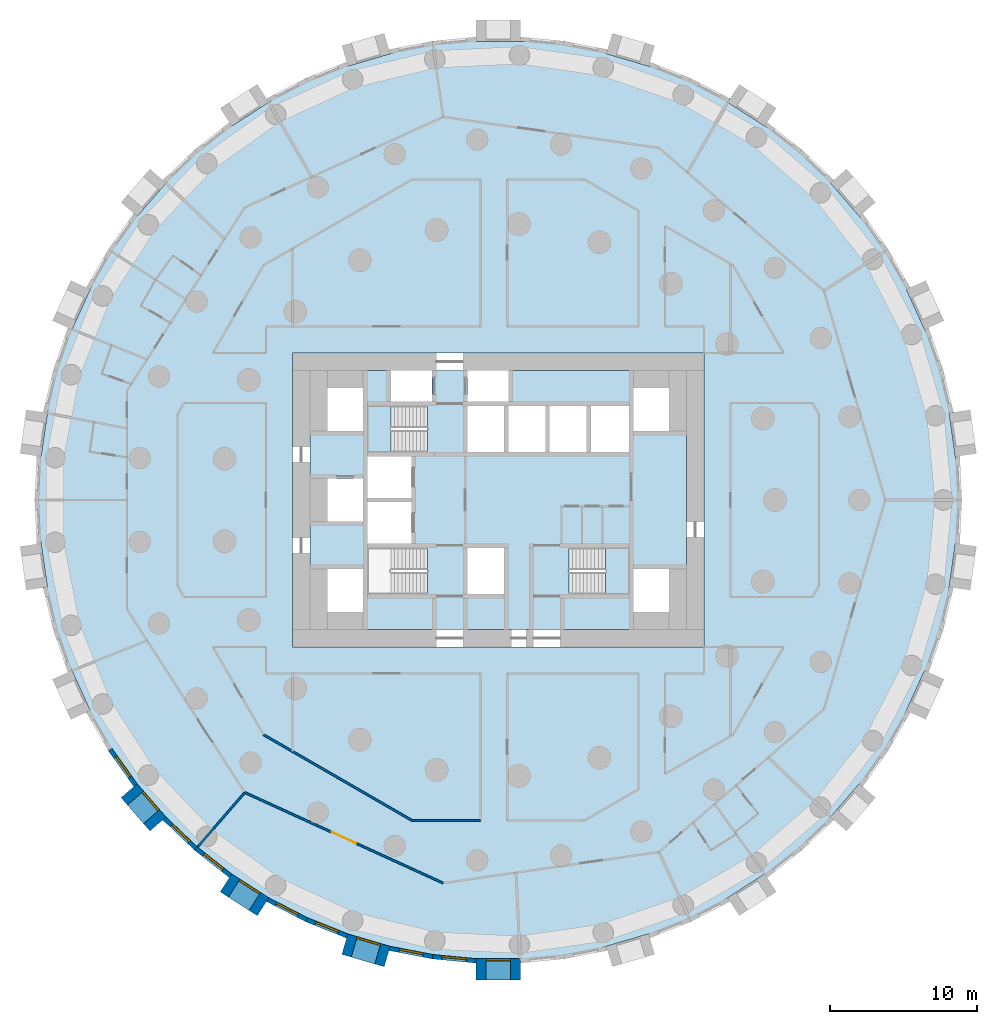
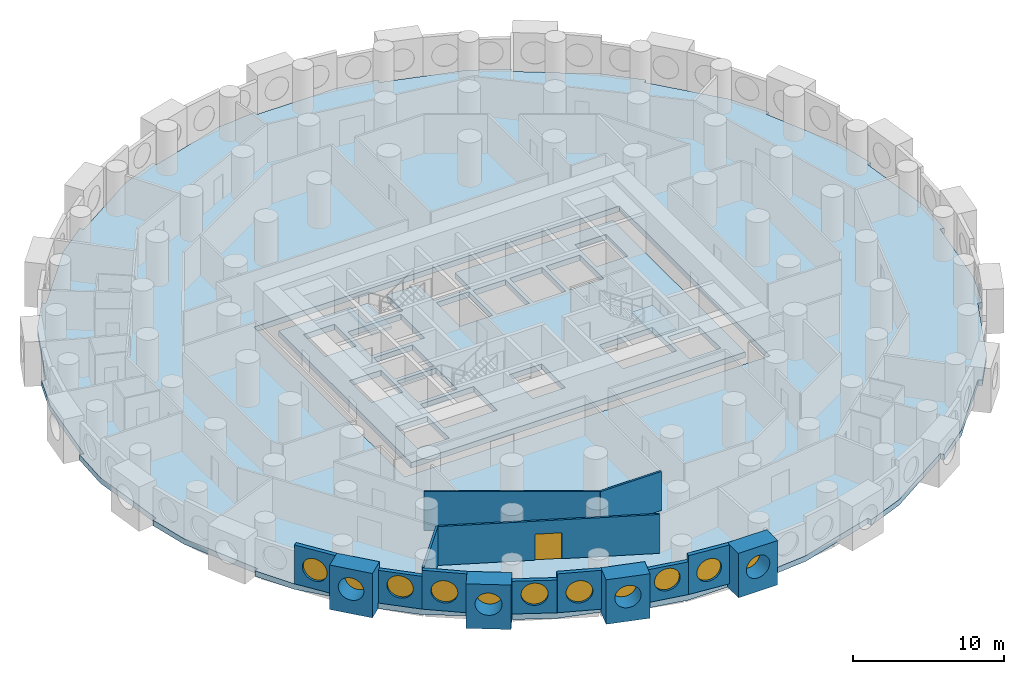
# One storey, part 2 of 11: 15 walls, 11 windows, 4 slabs, 1 door, 12 openings, 2 elements without a shape of their own.
"""IFC4 building model written with IfcOpenShell, lengths in metres."""

from ifc_helpers import new_model, si_unit, direction, frame, frame_2d, origin, origin_2d, place, context, subcontext, project, spatial, polyline, rectangle, circle, outline, extrude, material, layer, layer_set, type_object, element, fill, aggregate, save


model = new_model("IFC4")

# Units and contexts
model_context = context("Model", 3, precision=1e-05, world=origin(), true_north=direction((0.0, 1.0)))
body_context = subcontext(model_context, "Body", "Model", "MODEL_VIEW")
ifc_project = project(units=[si_unit("LENGTHUNIT", "METRE"), si_unit("AREAUNIT", "SQUARE_METRE"), si_unit("VOLUMEUNIT", "CUBIC_METRE"), si_unit("PLANEANGLEUNIT", "RADIAN"), si_unit("MASSUNIT", "GRAM", prefix="KILO")], contexts=[model_context])

# Site, building, storey
site_placement = place(None, origin())
site = spatial("IfcSite", under=ifc_project, at=site_placement, CompositionType="ELEMENT")
building_placement = place(site_placement, origin())
building = spatial("IfcBuilding", under=site, at=building_placement, Name="Tracery Tower", CompositionType="ELEMENT")
storey_placement = place(building_placement, frame((0.0, 0.0, 60.60009765625)))
storey = spatial("IfcBuildingStorey", under=building, at=storey_placement, Name="L14", CompositionType="ELEMENT", Elevation=60.60009765625)

# Slabs
ifc_material_1 = material(Name="Concrete C60/75", Category="concrete")
ifc_layer_1 = layer(ifc_material_1, 0.449951171875)
ifc_layer_set_1 = layer_set([ifc_layer_1], Name="Core floor slab 450 C60")
slab_type_1 = type_object("IfcSlabType", Name="Core floor slab 450 C60", PredefinedType="FLOOR", material=ifc_layer_set_1)
slab_1_placement = place(storey_placement, frame((0.0, 0.0, -0.4501953125)))
element("IfcSlab", 1, at=slab_1_placement, inside=storey, type_object=slab_type_1, Name="L14 core floor 1", PredefinedType="FLOOR", context=body_context, shape_type="SweptSolid", body=[
    extrude(outline(polyline([(-12.800048828125, 8.800048828125), (-7.300048828125, 8.800048828125), (-7.300048828125, 6.699951171875), (-4.5, 6.699951171875), (-4.5, 8.800048828125), (-2.10009765625, 8.800048828125), (-2.10009765625, 6.699951171875), (0.699951171875, 6.699951171875), (0.699951171875, 8.800048828125), (12.800048828125, 8.800048828125), (12.800048828125, -8.800048828125), (-12.800048828125, -8.800048828125), (-12.800048828125, 8.800048828125)]), holes=[polyline([(11.60009765625, -7.60009765625), (11.60009765625, -4.699951171875), (9.199951171875, -4.699951171875), (9.199951171875, -7.60009765625), (11.60009765625, -7.60009765625)]), polyline([(11.60009765625, 4.699951171875), (11.60009765625, 7.60009765625), (9.199951171875, 7.60009765625), (9.199951171875, 4.699951171875), (11.60009765625, 4.699951171875)]), polyline([(4.800537109375, -3.25), (4.800537109375, -6.39990234375), (8.89990234375, -6.39990234375), (8.89990234375, -3.25), (4.800537109375, -3.25)]), polyline([(6.300048828125, 3.25), (8.89990234375, 3.25), (8.89990234375, 6.39990234375), (6.300048828125, 6.39990234375), (6.300048828125, 3.25)]), polyline([(3.5, 3.25), (6.0, 3.25), (6.0, 6.39990234375), (3.5, 6.39990234375), (3.5, 3.25)]), polyline([(3.199951171875, 3.25), (3.199951171875, 6.39990234375), (0.699951171875, 6.39990234375), (0.699951171875, 3.25), (3.199951171875, 3.25)]), polyline([(-2.10009765625, 3.25), (0.39990234375, 3.25), (0.39990234375, 6.39990234375), (-2.10009765625, 6.39990234375), (-2.10009765625, 3.25)]), polyline([(0.39990234375, -6.39990234375), (0.39990234375, -3.25), (-2.10009765625, -3.25), (-2.10009765625, -6.39990234375), (0.39990234375, -6.39990234375)]), polyline([(-4.800537109375, -3.25), (-8.89990234375, -3.25), (-8.89990234375, -6.39990234375), (-4.800537109375, -6.39990234375), (-4.800537109375, -3.25)]), polyline([(-4.800537109375, 6.39990234375), (-8.89990234375, 6.39990234375), (-8.89990234375, 3.25), (-4.800537109375, 3.25), (-4.800537109375, 6.39990234375)]), polyline([(-8.89990234375, -2.949951171875), (-5.89990234375, -2.949951171875), (-5.89990234375, -0.14990234375), (-8.89990234375, -0.14990234375), (-8.89990234375, -2.949951171875)]), polyline([(-5.89990234375, 0.14990234375), (-5.89990234375, 2.949951171875), (-8.89990234375, 2.949951171875), (-8.89990234375, 0.14990234375), (-5.89990234375, 0.14990234375)]), polyline([(-11.60009765625, 4.699951171875), (-9.199951171875, 4.699951171875), (-9.199951171875, 7.60009765625), (-11.60009765625, 7.60009765625), (-11.60009765625, 4.699951171875)]), polyline([(-9.199951171875, -7.60009765625), (-9.199951171875, -4.699951171875), (-11.60009765625, -4.699951171875), (-11.60009765625, -7.60009765625), (-9.199951171875, -7.60009765625)]), polyline([(-9.199951171875, -1.449951171875), (-9.199951171875, 1.449951171875), (-11.60009765625, 1.449951171875), (-11.60009765625, -1.449951171875), (-9.199951171875, -1.449951171875)])]), origin(), (0.0, 0.0, 1.0), 0.4501953125),
])
ifc_material_2 = material(Name="Concrete C50/60", Category="concrete")
ifc_layer_2 = layer(ifc_material_2, 0.449951171875)
ifc_layer_set_2 = layer_set([ifc_layer_2], Name="Floor slab 450")
slab_type_2 = type_object("IfcSlabType", Name="Floor slab 450", PredefinedType="FLOOR", material=ifc_layer_set_2)
slab_2_placement = place(storey_placement, frame((0.0, 0.0, -0.4501953125)))
element("IfcSlab", 2, at=slab_2_placement, inside=storey, type_object=slab_type_2, Name="Floor slab L14", PredefinedType="FLOOR", context=body_context, shape_type="SweptSolid", body=[
    extrude(outline(polyline([(31.0849609375, 2.953857421875), (31.0849609375, 2.953857421875), (30.673583984375, 5.814697265625), (30.659912109375, 5.9091796875), (30.659912109375, 5.9091796875), (30.657958984375, 5.92333984375), (30.954345703125, 5.966064453125), (30.954833984375, 5.966064453125), (30.24755859375, 8.881591796875), (28.99365234375, 11.591796875), (28.993408203125, 11.591796875), (28.74609375, 12.1337890625), (27.753173828125, 14.307861328125), (27.753173828125, 14.307861328125), (27.747314453125, 14.32080078125), (28.020263671875, 14.4453125), (26.520263671875, 17.04345703125), (24.55322265625, 19.290771484375), (24.55322265625, 19.290771484375), (22.588623046875, 21.55810546875), (22.814697265625, 21.75390625), (22.8154296875, 21.75439453125), (20.644287109375, 23.82470703125), (18.123779296875, 25.4267578125), (18.123779296875, 25.4267578125), (18.12060546875, 25.428955078125), (18.11181640625, 25.4345703125), (15.612060546875, 27.041015625), (15.612060546875, 27.041015625), (15.60009765625, 27.048583984375), (15.76220703125, 27.301025390625), (13.095703125, 28.67578125), (10.226318359375, 29.5029296875), (10.226318359375, 29.5029296875), (7.34765625, 30.34814453125), (7.43212890625, 30.6357421875), (7.43212890625, 30.635986328125), (4.486328125, 31.20361328125), (1.5, 31.18896484375), (1.5, 31.18896484375), (-1.5, 31.18896484375), (-1.5, 31.489013671875), (-4.486328125, 31.20361328125), (-7.34765625, 30.34814453125), (-7.34765625, 30.34814453125), (-10.226318359375, 29.5029296875), (-10.310791015625, 29.790771484375), (-10.310791015625, 29.790771484375), (-13.095703125, 28.67578125), (-15.60009765625, 27.048828125), (-15.60009765625, 27.048583984375), (-15.60888671875, 27.04296875), (-15.612060546875, 27.041015625), (-18.11181640625, 25.4345703125), (-18.11181640625, 25.4345703125), (-18.123779296875, 25.4267578125), (-18.285888671875, 25.6787109375), (-18.2861328125, 25.67919921875), (-20.644287109375, 23.82470703125), (-22.5888671875, 21.55810546875), (-22.588623046875, 21.55810546875), (-24.55322265625, 19.290771484375), (-24.77978515625, 19.487060546875), (-24.780029296875, 19.4873046875), (-26.520263671875, 17.04345703125), (-27.747314453125, 14.32080078125), (-27.747314453125, 14.32080078125), (-27.751708984375, 14.311279296875), (-27.753173828125, 14.307861328125), (-28.74609375, 12.1337890625), (-28.993408203125, 11.591796875), (-29.266357421875, 11.716552734375), (-30.24755859375, 8.881591796875), (-30.657958984375, 5.92333984375), (-30.657958984375, 5.92333984375), (-30.659912109375, 5.909423828125), (-30.659912109375, 5.9091796875), (-30.673583984375, 5.814697265625), (-31.0849609375, 2.953857421875), (-31.381591796875, 2.99658203125), (-31.3818359375, 2.99658203125), (-31.524658203125, 0.0), (-31.0849609375, -2.953857421875), (-31.0849609375, -2.953857421875), (-30.673583984375, -5.814697265625), (-30.659912109375, -5.9091796875), (-30.659912109375, -5.9091796875), (-30.657958984375, -5.92333984375), (-30.954345703125, -5.966064453125), (-30.954833984375, -5.966064453125), (-30.24755859375, -8.881591796875), (-28.99365234375, -11.591796875), (-28.993408203125, -11.591796875), (-28.74609375, -12.1337890625), (-27.753173828125, -14.307861328125), (-27.753173828125, -14.307861328125), (-27.747314453125, -14.32080078125), (-28.020263671875, -14.4453125), (-26.520263671875, -17.04345703125), (-24.55322265625, -19.290771484375), (-24.55322265625, -19.290771484375), (-22.588623046875, -21.55810546875), (-22.814697265625, -21.75390625), (-22.8154296875, -21.75439453125), (-20.644287109375, -23.82470703125), (-18.123779296875, -25.4267578125), (-18.123779296875, -25.4267578125), (-18.12060546875, -25.428955078125), (-18.11181640625, -25.4345703125), (-15.612060546875, -27.041015625), (-15.612060546875, -27.041015625), (-15.60009765625, -27.048583984375), (-15.76220703125, -27.301025390625), (-13.095703125, -28.67578125), (-10.226318359375, -29.5029296875), (-10.226318359375, -29.5029296875), (-7.34765625, -30.34814453125), (-7.43212890625, -30.6357421875), (-7.43212890625, -30.635986328125), (-4.486328125, -31.20361328125), (-1.5, -31.18896484375), (-1.5, -31.18896484375), (1.5, -31.18896484375), (1.5, -31.489013671875), (4.486328125, -31.20361328125), (7.34765625, -30.34814453125), (7.34765625, -30.34814453125), (10.226318359375, -29.5029296875), (10.310791015625, -29.790771484375), (10.310791015625, -29.790771484375), (13.095703125, -28.67578125), (15.60009765625, -27.048828125), (15.60009765625, -27.048583984375), (15.60888671875, -27.04296875), (15.612060546875, -27.041015625), (18.11181640625, -25.4345703125), (18.11181640625, -25.4345703125), (18.123779296875, -25.4267578125), (18.285888671875, -25.6787109375), (18.2861328125, -25.67919921875), (20.644287109375, -23.82470703125), (22.5888671875, -21.55810546875), (22.588623046875, -21.55810546875), (24.55322265625, -19.290771484375), (24.77978515625, -19.487060546875), (24.780029296875, -19.4873046875), (26.520263671875, -17.04345703125), (27.747314453125, -14.32080078125), (27.747314453125, -14.32080078125), (27.751708984375, -14.311279296875), (27.753173828125, -14.307861328125), (28.74609375, -12.1337890625), (28.993408203125, -11.591796875), (29.266357421875, -11.716552734375), (30.24755859375, -8.881591796875), (30.657958984375, -5.92333984375), (30.657958984375, -5.92333984375), (30.659912109375, -5.909423828125), (30.659912109375, -5.9091796875), (30.673583984375, -5.814697265625), (31.0849609375, -2.953857421875), (31.381591796875, -2.99658203125), (31.3818359375, -2.99658203125), (31.524658203125, 0.0), (31.0849609375, 2.953857421875)]), holes=[polyline([(-14.0, -10.0), (14.0, -10.0), (14.0, 10.0), (-14.0, 10.0), (-14.0, -10.0)])]), origin(), (0.0, 0.0, 1.0), 0.4501953125),
])

# Stair, slab
ifc_material_3 = material(Name="Concrete C32/40", Category="concrete")
stair_type = type_object("IfcStairType", Name="Core stair 22 risers", PredefinedType="HALF_TURN_STAIR", material=ifc_material_3)
stair_1_placement = place(storey_placement, origin())
stair_1 = element("IfcStair", 3, at=stair_1_placement, inside=storey, type_object=stair_type, Name="L14 stair ST3", PredefinedType="HALF_TURN_STAIR")
ifc_material_4 = material(Name="Concrete C32/40", Category="concrete")
ifc_layer_3 = layer(ifc_material_4, 0.199951171875)
ifc_layer_set_3 = layer_set([ifc_layer_3], Name="Stair landing slab 200")
slab_type_3 = type_object("IfcSlabType", Name="Stair landing slab 200", PredefinedType="LANDING", material=ifc_layer_set_3)
slab_3_placement = place(storey_placement, frame((0.0, 0.0, 1.599853515625)))
slab_3 = element("IfcSlab", 4, at=slab_3_placement, type_object=slab_type_3, Name="ST3 landing 1", PredefinedType="LANDING", context=body_context, shape_type="SweptSolid", body=[
    extrude(outline(polyline([(-7.29931640625, 6.39990234375), (-8.89990234375, 6.39990234375), (-8.89990234375, 3.25), (-7.29931640625, 3.25), (-7.29931640625, 6.39990234375)])), origin(), (0.0, 0.0, 1.0), 0.199951171875),
])
aggregate(stair_1, [slab_3])

stair_2_placement = place(storey_placement, origin())
stair_2 = element("IfcStair", 5, at=stair_2_placement, inside=storey, type_object=stair_type, Name="L14 stair ST2", PredefinedType="HALF_TURN_STAIR")
slab_4_placement = place(storey_placement, frame((0.0, 0.0, 1.599853515625)))
slab_4 = element("IfcSlab", 6, at=slab_4_placement, type_object=slab_type_3, Name="ST2 landing 1", PredefinedType="LANDING", context=body_context, shape_type="SweptSolid", body=[
    extrude(outline(polyline([(7.29931640625, -6.39990234375), (8.89990234375, -6.39990234375), (8.89990234375, -3.25), (7.29931640625, -3.25), (7.29931640625, -6.39990234375)])), origin(), (0.0, 0.0, 1.0), 0.199951171875),
])
aggregate(stair_2, [slab_4])

# Wall, opening, window
ifc_material_5 = material(Name="Precast concrete C50/60", Category="concrete")
ifc_layer_4 = layer(ifc_material_5, 1.449951171875)
ifc_layer_set_4 = layer_set([ifc_layer_4], Name="Deep-set bay unit 3000 x 3600, slab edge 450")
wall_type_1 = type_object("IfcWallType", Name="Deep-set bay unit 3000 x 3600, slab edge 450", PredefinedType="ELEMENTEDWALL", material=ifc_layer_set_4)
wall_1_placement = place(storey_placement, frame((-25.101318359375, -19.765625, -0.4501953125), z_axis=(0.0, 0.0, 1.0), x_axis=(0.654890259022, -0.75572398972, 0.0)))
wall_1 = element("IfcWall", 7, at=wall_1_placement, inside=storey, type_object=wall_type_1, Name="Deep-set bay unit 41 at L14", PredefinedType="ELEMENTEDWALL", context=body_context, shape_type="SweptSolid", body=[
    extrude(rectangle(XDim=3.0, YDim=1.449951171875, at=frame_2d((1.5, 0.0))), origin(), (0.0, 0.0, 1.0), 3.60009765625),
])
opening_1_placement = place(wall_1_placement, frame((1.5, 0.0, 2.0)))
opening_1 = element("IfcOpeningElement", 8, at=opening_1_placement, cuts=wall_1, Name="Opening WN1", PredefinedType="OPENING", context=body_context, shape_type="SweptSolid", body=[
    extrude(circle(Radius=0.9000244140625, at=origin_2d()), frame((0.0, 0.73486328125, 0.0), z_axis=(0.0, -1.0, 0.0), x_axis=(1.0, 0.0, 0.0)), (0.0, 0.0, 1.0), 1.469970703125),
])
ifc_material_6 = material(Name="Aluminium frame with tinted double glazing", Category="aluminium")
window_type = type_object("IfcWindowType", Name="Round window 1800", PartitioningType="SINGLE_PANEL", PredefinedType="WINDOW", material=ifc_material_6)
window_1_placement = place(opening_1_placement, origin())
window_1 = element("IfcWindow", 9, at=window_1_placement, inside=storey, type_object=window_type, Name="Round window 41 at L14", OverallHeight=1.800048828125, OverallWidth=1.800048828125, PartitioningType="SINGLE_PANEL", PredefinedType="WINDOW", context=body_context, shape_type="SweptSolid", body=[
    extrude(circle(Radius=0.9000244140625, at=origin_2d()), frame((0.0, 0.69482421875, 0.0), z_axis=(0.0, -1.0, 0.0), x_axis=(1.0, 0.0, 0.0)), (0.0, 0.0, 1.0), 0.10009765625),
])
fill(opening_1, window_1)

wall_2_placement = place(storey_placement, frame((-18.515869140625, -26.03662109375, -0.4501953125), z_axis=(0.0, 0.0, 1.0), x_axis=(0.841223422347, -0.540687667415, 0.0)))
wall_2 = element("IfcWall", 10, at=wall_2_placement, inside=storey, type_object=wall_type_1, Name="Deep-set bay unit 44 at L14", PredefinedType="ELEMENTEDWALL", context=body_context, shape_type="SweptSolid", body=[
    extrude(rectangle(XDim=3.0, YDim=1.449951171875, at=frame_2d((1.5, 0.0))), origin(), (0.0, 0.0, 1.0), 3.60009765625),
])
opening_2_placement = place(wall_2_placement, frame((1.5, 0.0, 2.0)))
opening_2 = element("IfcOpeningElement", 11, at=opening_2_placement, cuts=wall_2, Name="Opening WN1", PredefinedType="OPENING", context=body_context, shape_type="SweptSolid", body=[
    extrude(circle(Radius=0.9000244140625, at=origin_2d()), frame((0.0, 0.73486328125, 0.0), z_axis=(0.0, -1.0, 0.0), x_axis=(1.0, 0.0, 0.0)), (0.0, 0.0, 1.0), 1.469970703125),
])
window_2_placement = place(opening_2_placement, origin())
window_2 = element("IfcWindow", 12, at=window_2_placement, inside=storey, type_object=window_type, Name="Round window 44 at L14", OverallHeight=1.800048828125, OverallWidth=1.800048828125, PartitioningType="SINGLE_PANEL", PredefinedType="WINDOW", context=body_context, shape_type="SweptSolid", body=[
    extrude(circle(Radius=0.9000244140625, at=origin_2d()), frame((0.0, 0.69482421875, 0.0), z_axis=(0.0, -1.0, 0.0), x_axis=(1.0, 0.0, 0.0)), (0.0, 0.0, 1.0), 0.10009765625),
])
fill(opening_2, window_2)

wall_3_placement = place(storey_placement, frame((-10.430419921875, -30.198486328125, -0.4501953125), z_axis=(0.0, 0.0, 1.0), x_axis=(0.959489813418, -0.281743319258, 0.0)))
wall_3 = element("IfcWall", 13, at=wall_3_placement, inside=storey, type_object=wall_type_1, Name="Deep-set bay unit 47 at L14", PredefinedType="ELEMENTEDWALL", context=body_context, shape_type="SweptSolid", body=[
    extrude(rectangle(XDim=3.0, YDim=1.449951171875, at=frame_2d((1.5, 0.0))), origin(), (0.0, 0.0, 1.0), 3.60009765625),
])
opening_3_placement = place(wall_3_placement, frame((1.5, 0.0, 2.0)))
opening_3 = element("IfcOpeningElement", 14, at=opening_3_placement, cuts=wall_3, Name="Opening WN1", PredefinedType="OPENING", context=body_context, shape_type="SweptSolid", body=[
    extrude(circle(Radius=0.9000244140625, at=origin_2d()), frame((0.0, 0.73486328125, 0.0), z_axis=(0.0, -1.0, 0.0), x_axis=(1.0, 0.0, 0.0)), (0.0, 0.0, 1.0), 1.469970703125),
])
window_3_placement = place(opening_3_placement, origin())
window_3 = element("IfcWindow", 15, at=window_3_placement, inside=storey, type_object=window_type, Name="Round window 47 at L14", OverallHeight=1.800048828125, OverallWidth=1.800048828125, PartitioningType="SINGLE_PANEL", PredefinedType="WINDOW", context=body_context, shape_type="SweptSolid", body=[
    extrude(circle(Radius=0.9000244140625, at=origin_2d()), frame((0.0, 0.69482421875, 0.0), z_axis=(0.0, -1.0, 0.0), x_axis=(1.0, 0.0, 0.0)), (0.0, 0.0, 1.0), 0.10009765625),
])
fill(opening_3, window_3)

wall_4_placement = place(storey_placement, frame((-1.5, -31.913818359375, -0.4501953125), z_axis=(0.0, 0.0, 1.0), x_axis=(1.0, 0.0, 0.0)))
wall_4 = element("IfcWall", 16, at=wall_4_placement, inside=storey, type_object=wall_type_1, Name="Deep-set bay unit 50 at L14", PredefinedType="ELEMENTEDWALL", context=body_context, shape_type="SweptSolid", body=[
    extrude(rectangle(XDim=3.0, YDim=1.449951171875, at=frame_2d((1.5, 0.0))), origin(), (0.0, 0.0, 1.0), 3.60009765625),
])
opening_4_placement = place(wall_4_placement, frame((1.5, 0.0, 2.0)))
opening_4 = element("IfcOpeningElement", 17, at=opening_4_placement, cuts=wall_4, Name="Opening WN1", PredefinedType="OPENING", context=body_context, shape_type="SweptSolid", body=[
    extrude(circle(Radius=0.9000244140625, at=origin_2d()), frame((0.0, 0.73486328125, 0.0), z_axis=(0.0, -1.0, 0.0), x_axis=(1.0, 0.0, 0.0)), (0.0, 0.0, 1.0), 1.469970703125),
])
window_4_placement = place(opening_4_placement, origin())
window_4 = element("IfcWindow", 18, at=window_4_placement, inside=storey, type_object=window_type, Name="Round window 50 at L14", OverallHeight=1.800048828125, OverallWidth=1.800048828125, PartitioningType="SINGLE_PANEL", PredefinedType="WINDOW", context=body_context, shape_type="SweptSolid", body=[
    extrude(circle(Radius=0.9000244140625, at=origin_2d()), frame((0.0, 0.69482421875, 0.0), z_axis=(0.0, -1.0, 0.0), x_axis=(1.0, 0.0, 0.0)), (0.0, 0.0, 1.0), 0.10009765625),
])
fill(opening_4, window_4)

ifc_material_7 = material(Name="Precast concrete C50/60", Category="concrete")
ifc_layer_5 = layer(ifc_material_7, 0.300048828125)
ifc_layer_set_5 = layer_set([ifc_layer_5], Name="Facade panel 3000 x 2650")
wall_type_2 = type_object("IfcWallType", Name="Facade panel 3000 x 2650", PredefinedType="SOLIDWALL", material=ifc_layer_set_5)
wall_5_placement = place(storey_placement, frame((-22.702392578125, -21.655029296875, 0.0), z_axis=(0.0, 0.0, 1.0), x_axis=(0.723744206617, -0.690068346896, 0.0)))
wall_5 = element("IfcWall", 19, at=wall_5_placement, inside=storey, type_object=wall_type_2, Name="Facade panel 42 at L14", PredefinedType="SOLIDWALL", context=body_context, shape_type="SweptSolid", body=[
    extrude(rectangle(XDim=2.979736328125, YDim=0.300048828125, at=frame_2d((1.48974609375, 0.0))), origin(), (0.0, 0.0, 1.0), 2.64990234375),
])
opening_5_placement = place(wall_5_placement, frame((1.48974609375, 0.0, 1.5498046875)))
opening_5 = element("IfcOpeningElement", 20, at=opening_5_placement, cuts=wall_5, Name="Opening WN1", PredefinedType="OPENING", context=body_context, shape_type="SweptSolid", body=[
    extrude(circle(Radius=0.9000244140625, at=origin_2d()), frame((0.0, 0.159912109375, 0.0), z_axis=(0.0, -1.0, 0.0), x_axis=(1.0, 0.0, 0.0)), (0.0, 0.0, 1.0), 0.320068359375),
])
window_5_placement = place(opening_5_placement, origin())
window_5 = element("IfcWindow", 21, at=window_5_placement, inside=storey, type_object=window_type, Name="Round window 42 at L14", OverallHeight=1.800048828125, OverallWidth=1.800048828125, PartitioningType="SINGLE_PANEL", PredefinedType="WINDOW", context=body_context, shape_type="SweptSolid", body=[
    extrude(circle(Radius=0.9000244140625, at=origin_2d()), frame((0.0, 0.1201171875, 0.0), z_axis=(0.0, -1.0, 0.0), x_axis=(1.0, 0.0, 0.0)), (0.0, 0.0, 1.0), 0.10009765625),
])
fill(opening_5, window_5)

wall_6_placement = place(storey_placement, frame((-15.681884765625, -27.173828125, 0.0), z_axis=(0.0, 0.0, 1.0), x_axis=(0.888819853856, -0.458256770153, 0.0)))
wall_6 = element("IfcWall", 22, at=wall_6_placement, inside=storey, type_object=wall_type_2, Name="Facade panel 45 at L14", PredefinedType="SOLIDWALL", context=body_context, shape_type="SweptSolid", body=[
    extrude(rectangle(XDim=2.979736328125, YDim=0.300048828125, at=frame_2d((1.48974609375, 0.0))), origin(), (0.0, 0.0, 1.0), 2.64990234375),
])
opening_6_placement = place(wall_6_placement, frame((1.48974609375, 0.0, 1.5498046875)))
opening_6 = element("IfcOpeningElement", 23, at=opening_6_placement, cuts=wall_6, Name="Opening WN1", PredefinedType="OPENING", context=body_context, shape_type="SweptSolid", body=[
    extrude(circle(Radius=0.9000244140625, at=origin_2d()), frame((0.0, 0.159912109375, 0.0), z_axis=(0.0, -1.0, 0.0), x_axis=(1.0, 0.0, 0.0)), (0.0, 0.0, 1.0), 0.320068359375),
])
window_6_placement = place(opening_6_placement, origin())
window_6 = element("IfcWindow", 24, at=window_6_placement, inside=storey, type_object=window_type, Name="Round window 45 at L14", OverallHeight=1.800048828125, OverallWidth=1.800048828125, PartitioningType="SINGLE_PANEL", PredefinedType="WINDOW", context=body_context, shape_type="SweptSolid", body=[
    extrude(circle(Radius=0.9000244140625, at=origin_2d()), frame((0.0, 0.1201171875, 0.0), z_axis=(0.0, -1.0, 0.0), x_axis=(1.0, 0.0, 0.0)), (0.0, 0.0, 1.0), 0.10009765625),
])
fill(opening_6, window_6)

wall_7_placement = place(storey_placement, frame((-7.390869140625, -30.4912109375, 0.0), z_axis=(0.0, 0.0, 1.0), x_axis=(0.981924535406, -0.189272836848, 0.0)))
wall_7 = element("IfcWall", 25, at=wall_7_placement, inside=storey, type_object=wall_type_2, Name="Facade panel 48 at L14", PredefinedType="SOLIDWALL", context=body_context, shape_type="SweptSolid", body=[
    extrude(rectangle(XDim=2.979736328125, YDim=0.300048828125, at=frame_2d((1.48974609375, 0.0))), origin(), (0.0, 0.0, 1.0), 2.64990234375),
])
opening_7_placement = place(wall_7_placement, frame((1.48974609375, 0.0, 1.5498046875)))
opening_7 = element("IfcOpeningElement", 26, at=opening_7_placement, cuts=wall_7, Name="Opening WN1", PredefinedType="OPENING", context=body_context, shape_type="SweptSolid", body=[
    extrude(circle(Radius=0.9000244140625, at=origin_2d()), frame((0.0, 0.159912109375, 0.0), z_axis=(0.0, -1.0, 0.0), x_axis=(1.0, 0.0, 0.0)), (0.0, 0.0, 1.0), 0.320068359375),
])
window_7_placement = place(opening_7_placement, origin())
window_7 = element("IfcWindow", 27, at=window_7_placement, inside=storey, type_object=window_type, Name="Round window 48 at L14", OverallHeight=1.800048828125, OverallWidth=1.800048828125, PartitioningType="SINGLE_PANEL", PredefinedType="WINDOW", context=body_context, shape_type="SweptSolid", body=[
    extrude(circle(Radius=0.9000244140625, at=origin_2d()), frame((0.0, 0.1201171875, 0.0), z_axis=(0.0, -1.0, 0.0), x_axis=(1.0, 0.0, 0.0)), (0.0, 0.0, 1.0), 0.10009765625),
])
fill(opening_7, window_7)

ifc_material_8 = material(Name="Precast concrete C50/60", Category="concrete")
ifc_layer_6 = layer(ifc_material_8, 0.300048828125)
ifc_layer_set_6 = layer_set([ifc_layer_6], Name="Facade panel 3000 x 3150")
wall_type_3 = type_object("IfcWallType", Name="Facade panel 3000 x 3150", PredefinedType="SOLIDWALL", material=ifc_layer_set_6)
wall_8_placement = place(storey_placement, frame((-26.393798828125, -16.96240234375, 0.0), z_axis=(0.0, 0.0, 1.0), x_axis=(0.580059407678, -0.81457417315, 0.0)))
wall_8 = element("IfcWall", 28, at=wall_8_placement, inside=storey, type_object=wall_type_3, Name="Facade panel 40 at L14", PredefinedType="SOLIDWALL", context=body_context, shape_type="SweptSolid", body=[
    extrude(rectangle(XDim=2.9794921875, YDim=0.300048828125, at=frame_2d((1.48974609375, 0.0))), origin(), (0.0, 0.0, 1.0), 3.14990234375),
])
opening_8_placement = place(wall_8_placement, frame((1.48974609375, 0.0, 1.5498046875)))
opening_8 = element("IfcOpeningElement", 29, at=opening_8_placement, cuts=wall_8, Name="Opening WN1", PredefinedType="OPENING", context=body_context, shape_type="SweptSolid", body=[
    extrude(circle(Radius=0.9000244140625, at=origin_2d()), frame((0.0, 0.159912109375, 0.0), z_axis=(0.0, -1.0, 0.0), x_axis=(1.0, 0.0, 0.0)), (0.0, 0.0, 1.0), 0.320068359375),
])
window_8_placement = place(opening_8_placement, origin())
window_8 = element("IfcWindow", 30, at=window_8_placement, inside=storey, type_object=window_type, Name="Round window 40 at L14", OverallHeight=1.800048828125, OverallWidth=1.800048828125, PartitioningType="SINGLE_PANEL", PredefinedType="WINDOW", context=body_context, shape_type="SweptSolid", body=[
    extrude(circle(Radius=0.9000244140625, at=origin_2d()), frame((0.0, 0.1201171875, 0.0), z_axis=(0.0, -1.0, 0.0), x_axis=(1.0, 0.0, 0.0)), (0.0, 0.0, 1.0), 0.10009765625),
])
fill(opening_8, window_8)

wall_9_placement = place(storey_placement, frame((-20.5458984375, -23.711181640625, 0.0), z_axis=(0.0, 0.0, 1.0), x_axis=(0.786045331304, -0.618168858108, 0.0)))
wall_9 = element("IfcWall", 31, at=wall_9_placement, inside=storey, type_object=wall_type_3, Name="Facade panel 43 at L14", PredefinedType="SOLIDWALL", context=body_context, shape_type="SweptSolid", body=[
    extrude(rectangle(XDim=2.979736328125, YDim=0.300048828125, at=frame_2d((1.48974609375, 0.0))), origin(), (0.0, 0.0, 1.0), 3.14990234375),
])
opening_9_placement = place(wall_9_placement, frame((1.48974609375, 0.0, 1.5498046875)))
opening_9 = element("IfcOpeningElement", 32, at=opening_9_placement, cuts=wall_9, Name="Opening WN1", PredefinedType="OPENING", context=body_context, shape_type="SweptSolid", body=[
    extrude(circle(Radius=0.9000244140625, at=origin_2d()), frame((0.0, 0.159912109375, 0.0), z_axis=(0.0, -1.0, 0.0), x_axis=(1.0, 0.0, 0.0)), (0.0, 0.0, 1.0), 0.320068359375),
])
window_9_placement = place(opening_9_placement, origin())
window_9 = element("IfcWindow", 33, at=window_9_placement, inside=storey, type_object=window_type, Name="Round window 43 at L14", OverallHeight=1.800048828125, OverallWidth=1.800048828125, PartitioningType="SINGLE_PANEL", PredefinedType="WINDOW", context=body_context, shape_type="SweptSolid", body=[
    extrude(circle(Radius=0.9000244140625, at=origin_2d()), frame((0.0, 0.1201171875, 0.0), z_axis=(0.0, -1.0, 0.0), x_axis=(1.0, 0.0, 0.0)), (0.0, 0.0, 1.0), 0.10009765625),
])
fill(opening_9, window_9)

wall_10_placement = place(storey_placement, frame((-13.033447265625, -28.539306640625, 0.0), z_axis=(0.0, 0.0, 1.0), x_axis=(0.928403213937, -0.371574316054, 0.0)))
wall_10 = element("IfcWall", 34, at=wall_10_placement, inside=storey, type_object=wall_type_3, Name="Facade panel 46 at L14", PredefinedType="SOLIDWALL", context=body_context, shape_type="SweptSolid", body=[
    extrude(rectangle(XDim=2.979736328125, YDim=0.300048828125, at=frame_2d((1.48974609375, 0.0))), origin(), (0.0, 0.0, 1.0), 3.14990234375),
])
opening_10_placement = place(wall_10_placement, frame((1.48974609375, 0.0, 1.5498046875)))
opening_10 = element("IfcOpeningElement", 35, at=opening_10_placement, cuts=wall_10, Name="Opening WN1", PredefinedType="OPENING", context=body_context, shape_type="SweptSolid", body=[
    extrude(circle(Radius=0.9000244140625, at=origin_2d()), frame((0.0, 0.159912109375, 0.0), z_axis=(0.0, -1.0, 0.0), x_axis=(1.0, 0.0, 0.0)), (0.0, 0.0, 1.0), 0.320068359375),
])
window_10_placement = place(opening_10_placement, origin())
window_10 = element("IfcWindow", 36, at=window_10_placement, inside=storey, type_object=window_type, Name="Round window 46 at L14", OverallHeight=1.800048828125, OverallWidth=1.800048828125, PartitioningType="SINGLE_PANEL", PredefinedType="WINDOW", context=body_context, shape_type="SweptSolid", body=[
    extrude(circle(Radius=0.9000244140625, at=origin_2d()), frame((0.0, 0.1201171875, 0.0), z_axis=(0.0, -1.0, 0.0), x_axis=(1.0, 0.0, 0.0)), (0.0, 0.0, 1.0), 0.10009765625),
])
fill(opening_10, window_10)

wall_11_placement = place(storey_placement, frame((-4.465087890625, -31.05517578125, 0.0), z_axis=(0.0, 0.0, 1.0), x_axis=(0.995473351551, -0.095041077185, 0.0)))
wall_11 = element("IfcWall", 37, at=wall_11_placement, inside=storey, type_object=wall_type_3, Name="Facade panel 49 at L14", PredefinedType="SOLIDWALL", context=body_context, shape_type="SweptSolid", body=[
    extrude(rectangle(XDim=2.979736328125, YDim=0.300048828125, at=frame_2d((1.48974609375, 0.0))), origin(), (0.0, 0.0, 1.0), 3.14990234375),
])
opening_11_placement = place(wall_11_placement, frame((1.48974609375, 0.0, 1.5498046875)))
opening_11 = element("IfcOpeningElement", 38, at=opening_11_placement, cuts=wall_11, Name="Opening WN1", PredefinedType="OPENING", context=body_context, shape_type="SweptSolid", body=[
    extrude(circle(Radius=0.9000244140625, at=origin_2d()), frame((0.0, 0.159912109375, 0.0), z_axis=(0.0, -1.0, 0.0), x_axis=(1.0, 0.0, 0.0)), (0.0, 0.0, 1.0), 0.320068359375),
])
window_11_placement = place(opening_11_placement, origin())
window_11 = element("IfcWindow", 39, at=window_11_placement, inside=storey, type_object=window_type, Name="Round window 49 at L14", OverallHeight=1.800048828125, OverallWidth=1.800048828125, PartitioningType="SINGLE_PANEL", PredefinedType="WINDOW", context=body_context, shape_type="SweptSolid", body=[
    extrude(circle(Radius=0.9000244140625, at=origin_2d()), frame((0.0, 0.1201171875, 0.0), z_axis=(0.0, -1.0, 0.0), x_axis=(1.0, 0.0, 0.0)), (0.0, 0.0, 1.0), 0.10009765625),
])
fill(opening_11, window_11)

# Walls
ifc_material_9 = material(Name="Plasterboard on steel studs", Category="steel")
ifc_layer_7 = layer(ifc_material_9, 0.14990234375)
ifc_layer_set_7 = layer_set([ifc_layer_7], Name="Partition 150 acoustic unit wall")
wall_type_4 = type_object("IfcWallType", Name="Partition 150 acoustic unit wall", PredefinedType="PARTITIONING", material=ifc_layer_set_7)
wall_12_placement = place(storey_placement, frame((-20.447998046875, -23.597900390625, 0.0), z_axis=(0.0, 0.0, 1.0), x_axis=(0.654847179409, 0.755761319214, 0.0)))
element("IfcWall", 40, at=wall_12_placement, inside=storey, type_object=wall_type_4, Name="Unit wall RA4-084", PredefinedType="PARTITIONING", context=body_context, shape_type="SweptSolid", body=[
    extrude(rectangle(XDim=4.90625, YDim=0.14990234375, at=frame_2d((2.453125, 0.0))), origin(), (0.0, 0.0, 1.0), 3.14990234375),
])
ifc_material_10 = material(Name="Plasterboard on steel studs", Category="steel")
ifc_layer_8 = layer(ifc_material_10, 0.14990234375)
ifc_layer_set_8 = layer_set([ifc_layer_8], Name="Partition 150 corridor wall")
wall_type_5 = type_object("IfcWallType", Name="Partition 150 corridor wall", PredefinedType="PARTITIONING", material=ifc_layer_set_8)
wall_13_placement = place(storey_placement, frame((-15.960205078125, -15.960205078125, 0.0), z_axis=(0.0, 0.0, 1.0), x_axis=(0.866022730501, -0.500004630234, 0.0)))
element("IfcWall", 41, at=wall_13_placement, inside=storey, type_object=wall_type_5, Name="Corridor wall RA4-049", PredefinedType="PARTITIONING", context=body_context, shape_type="SweptSolid", body=[
    extrude(rectangle(XDim=11.68359375, YDim=0.14990234375, at=frame_2d((5.841796875, 0.0))), origin(), (0.0, 0.0, 1.0), 3.14990234375),
])
wall_14_placement = place(storey_placement, frame((-5.842041015625, -21.802001953125, 0.0), z_axis=(0.0, 0.0, 1.0), x_axis=(1.0, 0.0, 0.0)))
element("IfcWall", 42, at=wall_14_placement, inside=storey, type_object=wall_type_5, Name="Corridor wall RA4-050", PredefinedType="PARTITIONING", context=body_context, shape_type="SweptSolid", body=[
    extrude(rectangle(XDim=4.650146484375, YDim=0.14990234375, at=frame_2d((2.3251953125, 0.0))), origin(), (0.0, 0.0, 1.0), 3.14990234375),
])

# Wall, opening, door
wall_15_placement = place(storey_placement, frame((-17.235107421875, -19.889892578125, 0.0), z_axis=(0.0, 0.0, 1.0), x_axis=(0.90960889055, -0.415465601743, 0.0)))
wall_15 = element("IfcWall", 43, at=wall_15_placement, inside=storey, type_object=wall_type_5, Name="Corridor wall RA4-059", PredefinedType="PARTITIONING", context=body_context, shape_type="SweptSolid", body=[
    extrude(rectangle(XDim=14.829345703125, YDim=0.14990234375, at=frame_2d((7.41455078125, 0.0))), origin(), (0.0, 0.0, 1.0), 3.14990234375),
])
opening_12_placement = place(wall_15_placement, frame((6.514404296875, 0.0, 0.0)))
opening_12 = element("IfcOpeningElement", 44, at=opening_12_placement, cuts=wall_15, Name="Opening RA4-28", PredefinedType="OPENING", context=body_context, shape_type="SweptSolid", body=[
    extrude(rectangle(XDim=1.800048828125, YDim=2.10009765625, at=frame_2d((0.89990234375, 1.050048828125))), frame((0.0, 0.074951171875, 0.0), z_axis=(0.0, -1.0, 0.0), x_axis=(1.0, 0.0, 0.0)), (0.0, 0.0, 1.0), 0.14990234375),
])
ifc_material_11 = material(Name="Timber door leaf", Category="wood")
door_type = type_object("IfcDoorType", Name="Door double lounge 1800", OperationType="NOTDEFINED", PredefinedType="DOOR", material=ifc_material_11)
door_placement = place(opening_12_placement, origin())
door = element("IfcDoor", 45, at=door_placement, inside=storey, type_object=door_type, Name="Double lounge door RA4-28", OperationType="DOUBLE_DOOR_SINGLE_SWING", OverallHeight=2.10009765625, OverallWidth=1.800048828125, PredefinedType="DOOR", context=body_context, shape_type="SweptSolid", body=[
    extrude(rectangle(XDim=1.800048828125, YDim=2.10009765625, at=frame_2d((0.89990234375, 1.050048828125))), frame((0.0, 0.02490234375, 0.0), z_axis=(0.0, -1.0, 0.0), x_axis=(1.0, 0.0, 0.0)), (0.0, 0.0, 1.0), 0.050048828125),
])
fill(opening_12, door)

save(model, "model.ifc")
